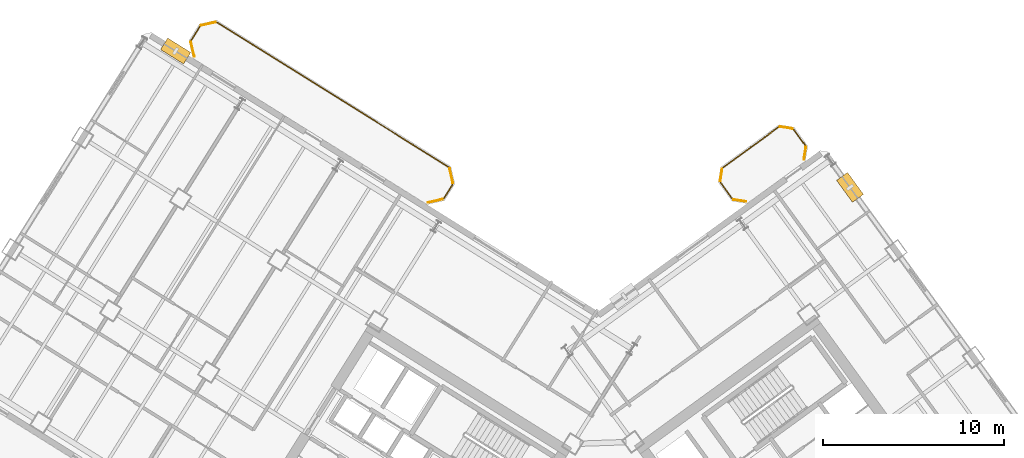
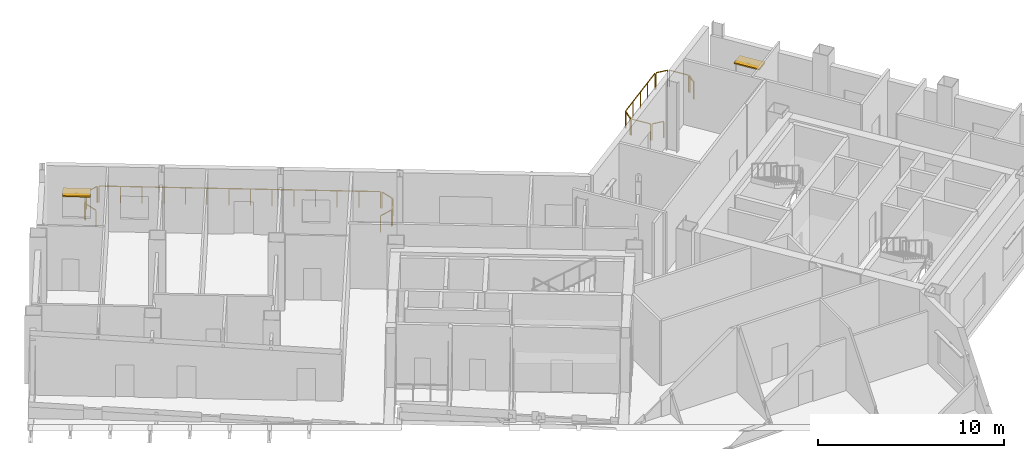
# One storey, part 21 of 21: 14 railings, 2 shading devices.
"""IFC4 building model written with IfcOpenShell, lengths in metres."""

from ifc_helpers import new_model, si_unit, direction, frame, origin, origin_2d, place, context, subcontext, project, spatial, rectangle, extrude, source, transform, mapped, material, layer, layer_set, type_object, element, save


model = new_model("IFC4")

# Units and contexts
model_context = context("Model", 3, precision=1e-05, world=origin(), true_north=direction((0.0, 1.0)))
body_context = subcontext(model_context, "Body", "Model", "MODEL_VIEW")
ifc_project = project(units=[si_unit("LENGTHUNIT", "METRE"), si_unit("AREAUNIT", "SQUARE_METRE"), si_unit("VOLUMEUNIT", "CUBIC_METRE"), si_unit("PLANEANGLEUNIT", "RADIAN"), si_unit("MASSUNIT", "GRAM", prefix="KILO")], contexts=[model_context])

# Site, building, storey
site_placement = place(None, origin())
site = spatial("IfcSite", under=ifc_project, at=site_placement, CompositionType="ELEMENT")
building_placement = place(site_placement, origin())
building = spatial("IfcBuilding", under=site, at=building_placement, Name="Tlacorven Tower", CompositionType="ELEMENT")
storey_placement = place(building_placement, frame((0.0, 0.0, 100.800048828125)))
storey = spatial("IfcBuildingStorey", under=building, at=storey_placement, Name="L25", CompositionType="ELEMENT", Elevation=100.800048828125)

# Railings
ifc_material_1 = material(Name="Aluminium and painted steel balustrade", Category="steel")
railing_type = type_object("IfcRailingType", Name="RL-BAL-1100", PredefinedType="BALUSTRADE", material=ifc_material_1)
shared_shape_1 = source(origin(), body_context, "Body", "SweptSolid", [
    extrude(rectangle(XDim=0.048095703125, YDim=0.048095703125, at=origin_2d()), frame((0.0, 0.0, 1.076171875), z_axis=(0.974345290916, 0.225058334816, 0.0), x_axis=(-0.225058334816, 0.974345290916, 0.0)), (0.0, 0.0, 1.0), 0.80712890625),
    extrude(rectangle(XDim=0.0419921875, YDim=0.0419921875, at=origin_2d()), origin(), (0.0, 0.0, 1.0), 1.052001953125),
    extrude(rectangle(XDim=0.0419921875, YDim=0.0419921875, at=origin_2d()), frame((0.786376953125, 0.181640625, 0.0)), (0.0, 0.0, 1.0), 1.052001953125),
])
railing_1_placement = place(storey_placement, frame((20.2138671875, 47.643798828125, 0.0)))
element("IfcRailing", 1, at=railing_1_placement, inside=storey, type_object=railing_type, Name="BAL-L25-W-IN Guard Railing 6", PredefinedType="BALUSTRADE", context=body_context, shape_type="MappedRepresentation", body=[
    mapped(shared_shape_1, transform((0.0, 0.0, 0.0), scale=1.0)),
])
shared_shape_2 = source(origin(), body_context, "Body", "SweptSolid", [
    extrude(rectangle(XDim=0.048095703125, YDim=0.048095703125, at=origin_2d()), frame((0.0, 0.0, 1.076171875), z_axis=(-0.987661653326, 0.156602868908, 0.0), x_axis=(-0.156602868908, -0.987661653326, 0.0)), (0.0, 0.0, 1.0), 0.665771484375),
    extrude(rectangle(XDim=0.0419921875, YDim=0.0419921875, at=origin_2d()), origin(), (0.0, 0.0, 1.0), 1.052001953125),
    extrude(rectangle(XDim=0.0419921875, YDim=0.0419921875, at=origin_2d()), frame((-0.657470703125, 0.104248046875, 0.0)), (0.0, 0.0, 1.0), 1.052001953125),
])
railing_2_placement = place(storey_placement, frame((50.359130859375, 37.891845703125, 0.0)))
element("IfcRailing", 2, at=railing_2_placement, inside=storey, type_object=railing_type, Name="BAL-L25-E-IN Guard Railing 1", PredefinedType="BALUSTRADE", context=body_context, shape_type="MappedRepresentation", body=[
    mapped(shared_shape_2, transform((0.0, 0.0, 0.0), scale=1.0)),
])
shared_shape_3 = source(origin(), body_context, "Body", "SweptSolid", [
    extrude(rectangle(XDim=0.048095703125, YDim=0.048095703125, at=origin_2d()), frame((0.0, 0.0, 1.076171875), z_axis=(0.156602868908, 0.987661653326, 0.0), x_axis=(-0.987661653326, 0.156602868908, 0.0)), (0.0, 0.0, 1.0), 0.665771484375),
    extrude(rectangle(XDim=0.0419921875, YDim=0.0419921875, at=origin_2d()), origin(), (0.0, 0.0, 1.0), 1.052001953125),
    extrude(rectangle(XDim=0.0419921875, YDim=0.0419921875, at=origin_2d()), frame((0.104248046875, 0.657470703125, 0.0)), (0.0, 0.0, 1.0), 1.052001953125),
])
railing_3_placement = place(storey_placement, frame((48.947509765625, 39.033935546875, 0.0)))
element("IfcRailing", 3, at=railing_3_placement, inside=storey, type_object=railing_type, Name="BAL-L25-E-IN Guard Railing 3", PredefinedType="BALUSTRADE", context=body_context, shape_type="MappedRepresentation", body=[
    mapped(shared_shape_3, transform((0.0, 0.0, 0.0), scale=1.0)),
])
shared_shape_4 = source(origin(), body_context, "Body", "SweptSolid", [
    extrude(rectangle(XDim=0.048095703125, YDim=0.048095703125, at=origin_2d()), frame((0.0, 0.0, 1.076171875), z_axis=(-0.156245081039, -0.987718317463, 0.0), x_axis=(0.987718317463, -0.156245081039, 0.0)), (0.0, 0.0, 1.0), 0.66552734375),
    extrude(rectangle(XDim=0.0419921875, YDim=0.0419921875, at=origin_2d()), origin(), (0.0, 0.0, 1.0), 1.052001953125),
    extrude(rectangle(XDim=0.0419921875, YDim=0.0419921875, at=origin_2d()), frame((-0.10400390625, -0.657470703125, 0.0)), (0.0, 0.0, 1.0), 1.052001953125),
])
railing_4_placement = place(storey_placement, frame((53.689453125, 40.893310546875, 0.0)))
element("IfcRailing", 4, at=railing_4_placement, inside=storey, type_object=railing_type, Name="BAL-L25-E-IN Guard Railing 7", PredefinedType="BALUSTRADE", context=body_context, shape_type="MappedRepresentation", body=[
    mapped(shared_shape_4, transform((0.0, 0.0, 0.0), scale=1.0)),
])
shared_shape_5 = source(origin(), body_context, "Body", "SweptSolid", [
    extrude(rectangle(XDim=0.048095703125, YDim=0.048095703125, at=origin_2d()), frame((0.0, 0.0, 1.076171875), z_axis=(0.529998940003, 0.847998304005, 0.0), x_axis=(-0.847998304005, 0.529998940003, 0.0)), (0.0, 0.0, 1.0), 0.912109375),
    extrude(rectangle(XDim=0.0419921875, YDim=0.0419921875, at=origin_2d()), origin(), (0.0, 0.0, 1.0), 1.052001953125),
    extrude(rectangle(XDim=0.0419921875, YDim=0.0419921875, at=origin_2d()), frame((0.4833984375, 0.7734375, 0.0)), (0.0, 0.0, 1.0), 1.052001953125),
])
railing_5_placement = place(storey_placement, frame((19.6552734375, 46.816650390625, 0.0)))
element("IfcRailing", 5, at=railing_5_placement, inside=storey, type_object=railing_type, Name="BAL-L25-W-IN Guard Railing 5", PredefinedType="BALUSTRADE", context=body_context, shape_type="MappedRepresentation", body=[
    mapped(shared_shape_5, transform((0.0, 0.0, 0.0), scale=1.0)),
])
shared_shape_6 = source(origin(), body_context, "Body", "SweptSolid", [
    extrude(rectangle(XDim=0.048095703125, YDim=0.048095703125, at=origin_2d()), frame((0.0, 0.0, 1.076171875), z_axis=(0.224992020761, -0.974360606036, 0.0), x_axis=(0.974360606036, 0.224992020761, 0.0)), (0.0, 0.0, 1.0), 0.807373046875),
    extrude(rectangle(XDim=0.0419921875, YDim=0.0419921875, at=origin_2d()), origin(), (0.0, 0.0, 1.0), 1.052001953125),
    extrude(rectangle(XDim=0.0419921875, YDim=0.0419921875, at=origin_2d()), frame((0.181640625, -0.78662109375, 0.0)), (0.0, 0.0, 1.0), 1.052001953125),
])
railing_6_placement = place(storey_placement, frame((33.965087890625, 39.72412109375, 0.0)))
element("IfcRailing", 6, at=railing_6_placement, inside=storey, type_object=railing_type, Name="BAL-L25-W-IN Guard Railing 1", PredefinedType="BALUSTRADE", context=body_context, shape_type="MappedRepresentation", body=[
    mapped(shared_shape_6, transform((0.0, 0.0, 0.0), scale=1.0)),
])
shared_shape_7 = source(origin(), body_context, "Body", "SweptSolid", [
    extrude(rectangle(XDim=0.048095703125, YDim=0.048095703125, at=origin_2d()), frame((0.0, 0.0, 1.076171875), z_axis=(-0.529998940003, -0.847998304005, 0.0), x_axis=(0.847998304005, -0.529998940003, 0.0)), (0.0, 0.0, 1.0), 0.912109375),
    extrude(rectangle(XDim=0.0419921875, YDim=0.0419921875, at=origin_2d()), origin(), (0.0, 0.0, 1.0), 1.052001953125),
    extrude(rectangle(XDim=0.0419921875, YDim=0.0419921875, at=origin_2d()), frame((-0.4833984375, -0.7734375, 0.0)), (0.0, 0.0, 1.0), 1.052001953125),
])
railing_7_placement = place(storey_placement, frame((34.131591796875, 38.846435546875, 0.0)))
element("IfcRailing", 7, at=railing_7_placement, inside=storey, type_object=railing_type, Name="BAL-L25-W-IN Guard Railing 2", PredefinedType="BALUSTRADE", context=body_context, shape_type="MappedRepresentation", body=[
    mapped(shared_shape_7, transform((0.0, 0.0, 0.0), scale=1.0)),
])
shared_shape_8 = source(origin(), body_context, "Body", "SweptSolid", [
    extrude(rectangle(XDim=0.048095703125, YDim=0.048095703125, at=origin_2d()), frame((0.0, 0.0, 1.076171875), z_axis=(-0.974360606036, -0.224992020761, 0.0), x_axis=(0.224992020761, -0.974360606036, 0.0)), (0.0, 0.0, 1.0), 0.807373046875),
    extrude(rectangle(XDim=0.0419921875, YDim=0.0419921875, at=origin_2d()), origin(), (0.0, 0.0, 1.0), 1.052001953125),
    extrude(rectangle(XDim=0.0419921875, YDim=0.0419921875, at=origin_2d()), frame((-0.78662109375, -0.181640625, 0.0)), (0.0, 0.0, 1.0), 1.052001953125),
])
railing_8_placement = place(storey_placement, frame((33.572998046875, 38.019287109375, 0.0)))
element("IfcRailing", 8, at=railing_8_placement, inside=storey, type_object=railing_type, Name="BAL-L25-W-IN Guard Railing 3", PredefinedType="BALUSTRADE", context=body_context, shape_type="MappedRepresentation", body=[
    mapped(shared_shape_8, transform((0.0, 0.0, 0.0), scale=1.0)),
])
shared_shape_9 = source(origin(), body_context, "Body", "SweptSolid", [
    extrude(rectangle(XDim=0.048095703125, YDim=0.048095703125, at=origin_2d()), frame((0.0, 0.0, 1.076171875), z_axis=(-0.22470489119, 0.974426863277, 0.0), x_axis=(-0.974426863277, -0.22470489119, 0.0)), (0.0, 0.0, 1.0), 0.807373046875),
    extrude(rectangle(XDim=0.0419921875, YDim=0.0419921875, at=origin_2d()), origin(), (0.0, 0.0, 1.0), 1.052001953125),
    extrude(rectangle(XDim=0.0419921875, YDim=0.0419921875, at=origin_2d()), frame((-0.181396484375, 0.78662109375, 0.0)), (0.0, 0.0, 1.0), 1.052001953125),
])
railing_9_placement = place(storey_placement, frame((19.821533203125, 45.93896484375, 0.0)))
element("IfcRailing", 9, at=railing_9_placement, inside=storey, type_object=railing_type, Name="BAL-L25-W-IN Guard Railing 4", PredefinedType="BALUSTRADE", context=body_context, shape_type="MappedRepresentation", body=[
    mapped(shared_shape_9, transform((0.0, 0.0, 0.0), scale=1.0)),
])
shared_shape_10 = source(origin(), body_context, "Body", "SweptSolid", [
    extrude(rectangle(XDim=0.048095703125, YDim=0.048095703125, at=origin_2d()), frame((0.0, 0.0, 1.076171875), z_axis=(0.848051830527, -0.529913287944, 0.0), x_axis=(0.529913287944, 0.848051830527, 0.0)), (0.0, 0.0, 1.0), 15.1171875),
    extrude(rectangle(XDim=0.0419921875, YDim=0.0419921875, at=origin_2d()), origin(), (0.0, 0.0, 1.0), 1.052001953125),
    extrude(rectangle(XDim=0.0419921875, YDim=0.0419921875, at=origin_2d()), frame((0.986083984375, -0.6162109375, 0.0)), (0.0, 0.0, 1.0), 1.052001953125),
    extrude(rectangle(XDim=0.0419921875, YDim=0.0419921875, at=origin_2d()), frame((1.972412109375, -1.232421875, 0.0)), (0.0, 0.0, 1.0), 1.052001953125),
    extrude(rectangle(XDim=0.0419921875, YDim=0.0419921875, at=origin_2d()), frame((2.95849609375, -1.8486328125, 0.0)), (0.0, 0.0, 1.0), 1.052001953125),
    extrude(rectangle(XDim=0.0419921875, YDim=0.0419921875, at=origin_2d()), frame((3.944580078125, -2.46484375, 0.0)), (0.0, 0.0, 1.0), 1.052001953125),
    extrude(rectangle(XDim=0.0419921875, YDim=0.0419921875, at=origin_2d()), frame((4.930908203125, -3.0810546875, 0.0)), (0.0, 0.0, 1.0), 1.052001953125),
    extrude(rectangle(XDim=0.0419921875, YDim=0.0419921875, at=origin_2d()), frame((5.9169921875, -3.697265625, 0.0)), (0.0, 0.0, 1.0), 1.052001953125),
    extrude(rectangle(XDim=0.0419921875, YDim=0.0419921875, at=origin_2d()), frame((6.903076171875, -4.3134765625, 0.0)), (0.0, 0.0, 1.0), 1.052001953125),
    extrude(rectangle(XDim=0.0419921875, YDim=0.0419921875, at=origin_2d()), frame((7.88916015625, -4.9296875, 0.0)), (0.0, 0.0, 1.0), 1.052001953125),
    extrude(rectangle(XDim=0.0419921875, YDim=0.0419921875, at=origin_2d()), frame((8.87548828125, -5.5458984375, 0.0)), (0.0, 0.0, 1.0), 1.052001953125),
    extrude(rectangle(XDim=0.0419921875, YDim=0.0419921875, at=origin_2d()), frame((9.861572265625, -6.162109375, 0.0)), (0.0, 0.0, 1.0), 1.052001953125),
    extrude(rectangle(XDim=0.0419921875, YDim=0.0419921875, at=origin_2d()), frame((10.84765625, -6.7783203125, 0.0)), (0.0, 0.0, 1.0), 1.052001953125),
    extrude(rectangle(XDim=0.0419921875, YDim=0.0419921875, at=origin_2d()), frame((11.833984375, -7.39453125, 0.0)), (0.0, 0.0, 1.0), 1.052001953125),
    extrude(rectangle(XDim=0.0419921875, YDim=0.0419921875, at=origin_2d()), frame((12.820068359375, -8.0107421875, 0.0)), (0.0, 0.0, 1.0), 1.052001953125),
])
railing_10_placement = place(storey_placement, frame((21.091552734375, 47.81005859375, 0.0)))
element("IfcRailing", 10, at=railing_10_placement, inside=storey, type_object=railing_type, Name="BAL-L25-W-IN Guard Railing 7", PredefinedType="BALUSTRADE", context=body_context, shape_type="MappedRepresentation", body=[
    mapped(shared_shape_10, transform((0.0, 0.0, 0.0), scale=1.0)),
])
shared_shape_11 = source(origin(), body_context, "Body", "SweptSolid", [
    extrude(rectangle(XDim=0.048095703125, YDim=0.048095703125, at=origin_2d()), frame((0.0, 0.0, 1.076171875), z_axis=(-0.587636431696, 0.809125097957, 0.0), x_axis=(-0.809125097957, -0.587636431696, 0.0)), (0.0, 0.0, 1.0), 1.1123046875),
    extrude(rectangle(XDim=0.0419921875, YDim=0.0419921875, at=origin_2d()), origin(), (0.0, 0.0, 1.0), 1.052001953125),
    extrude(rectangle(XDim=0.0419921875, YDim=0.0419921875, at=origin_2d()), frame((-0.653564453125, 0.89990234375, 0.0)), (0.0, 0.0, 1.0), 1.052001953125),
])
railing_11_placement = place(storey_placement, frame((49.622802734375, 38.044189453125, 0.0)))
element("IfcRailing", 11, at=railing_11_placement, inside=storey, type_object=railing_type, Name="BAL-L25-E-IN Guard Railing 2", PredefinedType="BALUSTRADE", context=body_context, shape_type="MappedRepresentation", body=[
    mapped(shared_shape_11, transform((0.0, 0.0, 0.0), scale=1.0)),
])
shared_shape_12 = source(origin(), body_context, "Body", "SweptSolid", [
    extrude(rectangle(XDim=0.048095703125, YDim=0.048095703125, at=origin_2d()), frame((0.0, 0.0, 1.076171875), z_axis=(0.809018102573, 0.587783726986, 0.0), x_axis=(-0.587783726986, 0.809018102573, 0.0)), (0.0, 0.0, 1.0), 3.817138671875),
    extrude(rectangle(XDim=0.0419921875, YDim=0.0419921875, at=origin_2d()), origin(), (0.0, 0.0, 1.0), 1.052001953125),
    extrude(rectangle(XDim=0.0419921875, YDim=0.0419921875, at=origin_2d()), frame((0.77197265625, 0.56103515625, 0.0)), (0.0, 0.0, 1.0), 1.052001953125),
    extrude(rectangle(XDim=0.0419921875, YDim=0.0419921875, at=origin_2d()), frame((1.5439453125, 1.121826171875, 0.0)), (0.0, 0.0, 1.0), 1.052001953125),
    extrude(rectangle(XDim=0.0419921875, YDim=0.0419921875, at=origin_2d()), frame((2.316162109375, 1.6826171875, 0.0)), (0.0, 0.0, 1.0), 1.052001953125),
    extrude(rectangle(XDim=0.0419921875, YDim=0.0419921875, at=origin_2d()), frame((3.088134765625, 2.24365234375, 0.0)), (0.0, 0.0, 1.0), 1.052001953125),
])
railing_12_placement = place(storey_placement, frame((49.10009765625, 39.77001953125, 0.0)))
element("IfcRailing", 12, at=railing_12_placement, inside=storey, type_object=railing_type, Name="BAL-L25-E-IN Guard Railing 4", PredefinedType="BALUSTRADE", context=body_context, shape_type="MappedRepresentation", body=[
    mapped(shared_shape_12, transform((0.0, 0.0, 0.0), scale=1.0)),
])
shared_shape_13 = source(origin(), body_context, "Body", "SweptSolid", [
    extrude(rectangle(XDim=0.048095703125, YDim=0.048095703125, at=origin_2d()), frame((0.0, 0.0, 1.076171875), z_axis=(0.987661653326, -0.156602868908, 0.0), x_axis=(0.156602868908, 0.987661653326, 0.0)), (0.0, 0.0, 1.0), 0.665771484375),
    extrude(rectangle(XDim=0.0419921875, YDim=0.0419921875, at=origin_2d()), origin(), (0.0, 0.0, 1.0), 1.052001953125),
    extrude(rectangle(XDim=0.0419921875, YDim=0.0419921875, at=origin_2d()), frame((0.657470703125, -0.104248046875, 0.0)), (0.0, 0.0, 1.0), 1.052001953125),
])
railing_13_placement = place(storey_placement, frame((52.278076171875, 42.035400390625, 0.0)))
element("IfcRailing", 13, at=railing_13_placement, inside=storey, type_object=railing_type, Name="BAL-L25-E-IN Guard Railing 5", PredefinedType="BALUSTRADE", context=body_context, shape_type="MappedRepresentation", body=[
    mapped(shared_shape_13, transform((0.0, 0.0, 0.0), scale=1.0)),
])
shared_shape_14 = source(origin(), body_context, "Body", "SweptSolid", [
    extrude(rectangle(XDim=0.048095703125, YDim=0.048095703125, at=origin_2d()), frame((0.0, 0.0, 1.076171875), z_axis=(0.587780115446, -0.809020726488, 0.0), x_axis=(0.809020726488, 0.587780115446, 0.0)), (0.0, 0.0, 1.0), 1.1123046875),
    extrude(rectangle(XDim=0.0419921875, YDim=0.0419921875, at=origin_2d()), origin(), (0.0, 0.0, 1.0), 1.052001953125),
    extrude(rectangle(XDim=0.0419921875, YDim=0.0419921875, at=origin_2d()), frame((0.65380859375, -0.89990234375, 0.0)), (0.0, 0.0, 1.0), 1.052001953125),
])
railing_14_placement = place(storey_placement, frame((53.01416015625, 41.883056640625, 0.0)))
element("IfcRailing", 14, at=railing_14_placement, inside=storey, type_object=railing_type, Name="BAL-L25-E-IN Guard Railing 6", PredefinedType="BALUSTRADE", context=body_context, shape_type="MappedRepresentation", body=[
    mapped(shared_shape_14, transform((0.0, 0.0, 0.0), scale=1.0)),
])

# Shading devices
ifc_material_2 = material(Name="Anodised bronze aluminium sunshade", Category="aluminium")
ifc_layer = layer(ifc_material_2, 0.080078125)
ifc_layer_set = layer_set([ifc_layer], Name="Anodised bronze aluminium sunshade")
shading_device_type = type_object("IfcShadingDeviceType", Name="SH-SUN-BRZ", PredefinedType="AWNING", material=ifc_layer_set)
shared_shape_15 = source(origin(), body_context, "Body", "SweptSolid", [
    extrude(rectangle(XDim=1.5, YDim=0.75, at=origin_2d()), origin(), (0.0, 0.0, 1.0), 0.080078125),
])
for number, where, z_axis, x_axis, name in (
    (15, (18.797119140625, 46.22509765625, 2.369873046875), (0.0, 0.0, 1.0), (0.848048220257, -0.52991906563, 0.0), "L25 Solar Brise-Soleil Sunshade L25-03.1"),
    (16, (56.134521484375, 38.67724609375, 2.369873046875), (0.0, 0.0, 1.0), (0.587785363163, -0.809016913823, 0.0), "L25 Solar Brise-Soleil Sunshade L25-05.1"),
):
    element("IfcShadingDevice", number, at=place(storey_placement, frame(where, z_axis=z_axis, x_axis=x_axis)), inside=storey, type_object=shading_device_type, Name=name, PredefinedType="AWNING", context=body_context, shape_type="MappedRepresentation", body=[
        mapped(shared_shape_15, transform((0.0, 0.0, 0.0), scale=1.0)),
    ])

save(model, "model.ifc")
